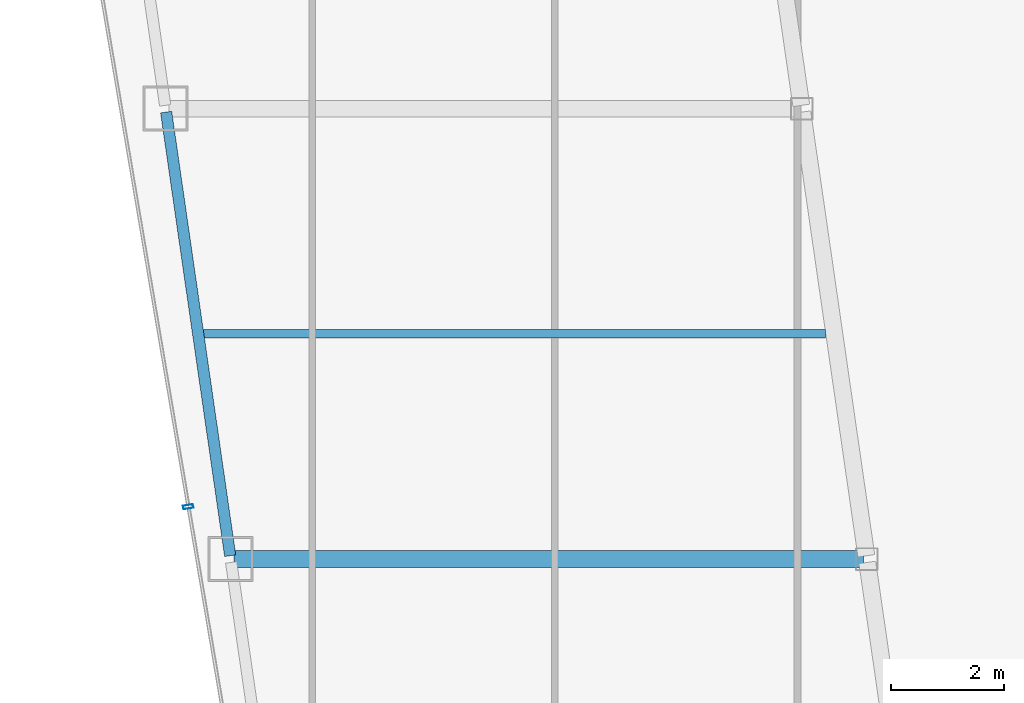
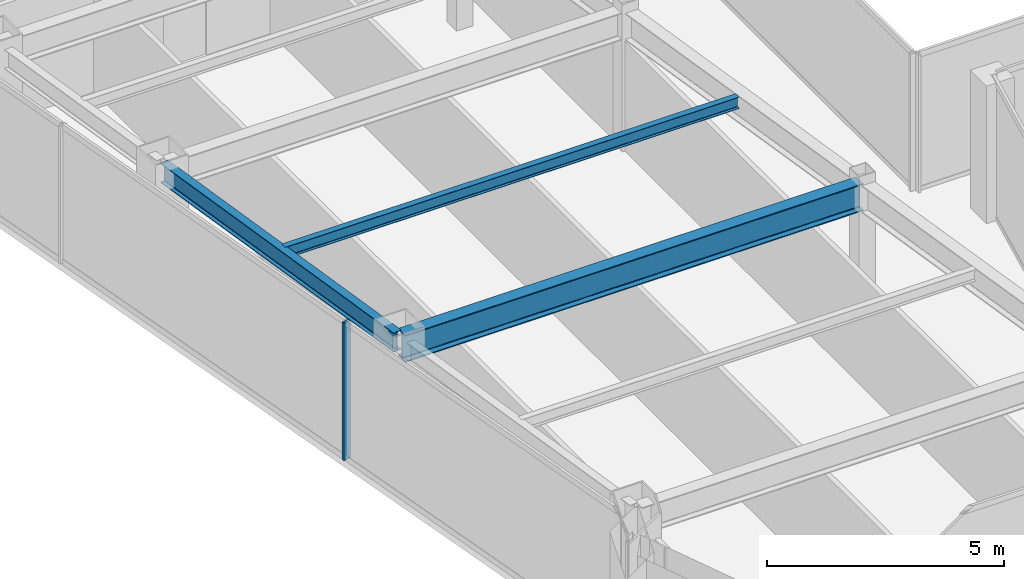
# One storey, part 5 of 35: 3 beams, 1 member, 1 element without a shape of its own.
"""IFC4 building model written with IfcOpenShell, lengths in metres."""

from ifc_helpers import new_model, si_unit, direction, frame, origin, origin_2d, place, context, subcontext, project, spatial, hollow_rectangle, i_section, extrude, material, material_profile, profile_set, type_object, element, aggregate, save


model = new_model("IFC4")

# Units and contexts
model_context = context("Model", 3, precision=1e-05, world=origin(), true_north=direction((0.0, 1.0)))
body_context = subcontext(model_context, "Body", "Model", "MODEL_VIEW")
ifc_project = project(units=[si_unit("LENGTHUNIT", "METRE"), si_unit("AREAUNIT", "SQUARE_METRE"), si_unit("VOLUMEUNIT", "CUBIC_METRE"), si_unit("PLANEANGLEUNIT", "RADIAN"), si_unit("MASSUNIT", "GRAM", prefix="KILO")], contexts=[model_context])

# Site, building, storey
site_placement = place(None, origin())
site = spatial("IfcSite", under=ifc_project, at=site_placement, CompositionType="ELEMENT")
building_placement = place(site_placement, origin())
building = spatial("IfcBuilding", under=site, at=building_placement, Name="Saevonmaru Cultural Tower", CompositionType="ELEMENT")
storey_placement = place(building_placement, frame((0.0, 0.0, 194.199951171875)))
storey = spatial("IfcBuildingStorey", under=building, at=storey_placement, Name="L44", CompositionType="ELEMENT", Elevation=194.199951171875)

# Beams
ifc_material_1 = material(Name="Steel SM355", Category="steel")
ifc_material_profile_1 = material_profile(ifc_material_1, i_section(OverallWidth=0.300048828125, OverallDepth=0.699951171875, WebThickness=0.012939453125, FlangeThickness=0.02392578125, FilletRadius=0.02587890625, at=origin_2d()), Name="H-700x300x13x24")
ifc_profile_set_1 = profile_set([ifc_material_profile_1], Name="Steel SM355")
beam_type_1 = type_object("IfcBeamType", Name="BM-G-H700", PredefinedType="BEAM", material=ifc_profile_set_1)
beam_1_placement = place(storey_placement, frame((9.531982421875, 24.0, 3.199951171875), z_axis=(1.0, 0.0, 0.0), x_axis=(0.0, 1.0, 0.0)))
element("IfcBeam", 1, at=beam_1_placement, inside=storey, type_object=beam_type_1, Name="L44 West Wing Transverse Girder 2", PredefinedType="BEAM", context=body_context, shape_type="SweptSolid", body=[
    extrude(i_section(OverallWidth=0.300048828125, OverallDepth=0.699951171875, WebThickness=0.012939453125, FlangeThickness=0.02392578125, FilletRadius=0.02587890625, at=origin_2d()), origin(), (0.0, 0.0, 1.0), 11.179931640625),
])
ifc_material_profile_2 = material_profile(ifc_material_1, i_section(OverallWidth=0.14990234375, OverallDepth=0.300048828125, WebThickness=0.006591796875, FlangeThickness=0.009033203125, FilletRadius=0.012939453125, at=origin_2d()), Name="H-300x150x6.5x9")
ifc_profile_set_2 = profile_set([ifc_material_profile_2], Name="Steel SM355")
beam_type_2 = type_object("IfcBeamType", Name="BM-J-H300", PredefinedType="JOIST", material=ifc_profile_set_2)
beam_2_placement = place(storey_placement, frame((8.95458984375, 28.0, 3.400146484375), z_axis=(1.0, 0.0, 0.0), x_axis=(0.0, 1.0, 0.0)))
element("IfcBeam", 2, at=beam_2_placement, inside=storey, type_object=beam_type_2, Name="L44 West Wing Floor Joist 2", PredefinedType="JOIST", context=body_context, shape_type="SweptSolid", body=[
    extrude(i_section(OverallWidth=0.14990234375, OverallDepth=0.300048828125, WebThickness=0.006591796875, FlangeThickness=0.009033203125, FilletRadius=0.012939453125, at=origin_2d()), origin(), (0.0, 0.0, 1.0), 11.08203125),
])
ifc_material_profile_3 = material_profile(ifc_material_1, i_section(OverallWidth=0.199951171875, OverallDepth=0.5, WebThickness=0.010009765625, FlangeThickness=0.01611328125, FilletRadius=0.02001953125, at=origin_2d()), Name="H-500x200x10x16")
ifc_profile_set_3 = profile_set([ifc_material_profile_3], Name="Steel SM355")
beam_type_3 = type_object("IfcBeamType", Name="BM-SP-H500", PredefinedType="SPANDREL", material=ifc_profile_set_3)
beam_3_placement = place(storey_placement, frame((9.46337890625, 24.059326171875, 3.300048828125), z_axis=(-0.142871999001, 0.989741174197, 0.0), x_axis=(-0.989741174197, -0.142871999001, 0.0)))
element("IfcBeam", 3, at=beam_3_placement, inside=storey, type_object=beam_type_3, Name="L44 West Splayed Spandrel 2", PredefinedType="SPANDREL", context=body_context, shape_type="SweptSolid", body=[
    extrude(i_section(OverallWidth=0.199951171875, OverallDepth=0.5, WebThickness=0.010009765625, FlangeThickness=0.01611328125, FilletRadius=0.02001953125, at=origin_2d()), origin(), (0.0, 0.0, 1.0), 7.963134765625),
])

# Curtain wall, member
ifc_material_2 = material(Name="Satin Bronze Anodised Aluminium", Category="aluminium")
curtain_wall_type = type_object("IfcCurtainWallType", Name="CW-TYP-B", PredefinedType="NOTDEFINED", material=ifc_material_2)
curtain_wall_placement = place(storey_placement, origin())
curtain_wall = element("IfcCurtainWall", 4, at=curtain_wall_placement, inside=storey, type_object=curtain_wall_type, Name="L44 Unitised Curtain Wall E12", PredefinedType="NOTDEFINED")
ifc_material_profile_4 = material_profile(ifc_material_2, hollow_rectangle(XDim=0.06494140625, YDim=0.179931640625, WallThickness=0.00390625, at=origin_2d()), Name="ALU-MULL-180x65x4")
ifc_profile_set_4 = profile_set([ifc_material_profile_4], Name="Satin Bronze Anodised Aluminium")
member_type = type_object("IfcMemberType", Name="ML-CW-180x65", PredefinedType="MULLION", material=ifc_profile_set_4)
member_placement = place(storey_placement, frame((8.71826171875, 24.9296875, 0.0), z_axis=(0.0, 0.0, 1.0), x_axis=(0.16692169721, -0.985970155228, 0.0)))
member = element("IfcMember", 5, at=member_placement, type_object=member_type, Name="CW-TW-L44-E12 mullion 4", PredefinedType="MULLION", context=body_context, shape_type="SweptSolid", body=[
    extrude(hollow_rectangle(XDim=0.06494140625, YDim=0.179931640625, WallThickness=0.00390625, at=origin_2d()), origin(), (0.0, 0.0, 1.0), 3.550048828125),
])
aggregate(curtain_wall, [member])

save(model, "model.ifc")
